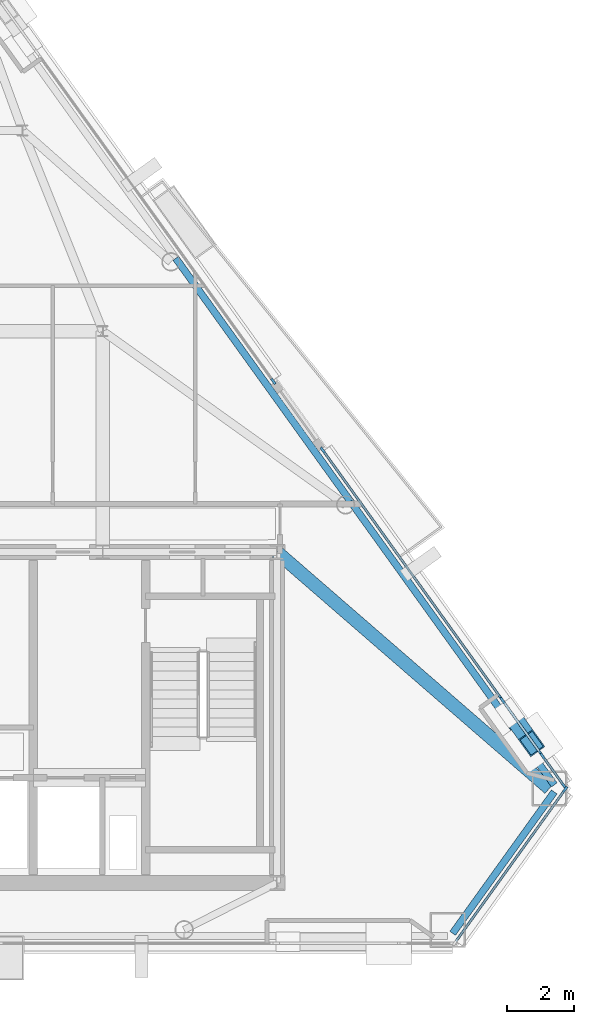
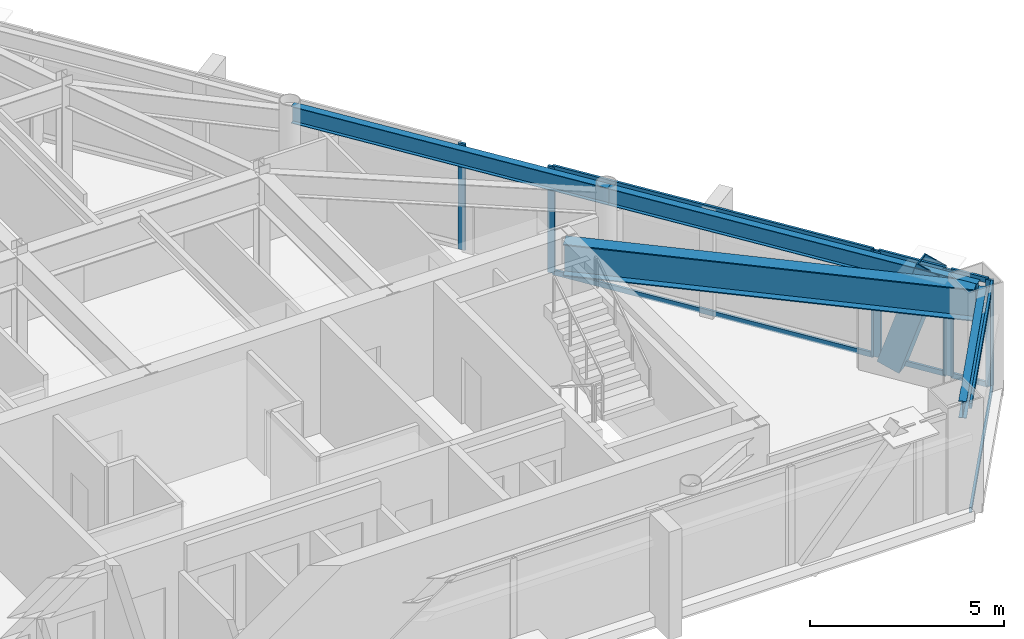
# One storey, part 5 of 11: 17 members, 4 beams, 5 elements without a shape of their own.
"""IFC4 building model written with IfcOpenShell, lengths in metres."""

from ifc_helpers import new_model, si_unit, direction, frame, origin, origin_2d, place, context, subcontext, project, spatial, rectangle, hollow_rectangle, i_section, extrude, material, layer, layer_set, material_profile, profile_set, type_object, element, aggregate, save


model = new_model("IFC4")

# Units and contexts
model_context = context("Model", 3, precision=1e-05, world=origin(), true_north=direction((0.0, 1.0)))
body_context = subcontext(model_context, "Body", "Model", "MODEL_VIEW")
ifc_project = project(units=[si_unit("LENGTHUNIT", "METRE"), si_unit("AREAUNIT", "SQUARE_METRE"), si_unit("VOLUMEUNIT", "CUBIC_METRE"), si_unit("PLANEANGLEUNIT", "RADIAN"), si_unit("MASSUNIT", "GRAM", prefix="KILO")], contexts=[model_context])

# Site, building, storey
site_placement = place(None, origin())
site = spatial("IfcSite", under=ifc_project, at=site_placement, CompositionType="ELEMENT")
building_placement = place(site_placement, origin())
building = spatial("IfcBuilding", under=site, at=building_placement, Name="Talgorran Terracotta Tower", CompositionType="ELEMENT")
storey_placement = place(building_placement, frame((0.0, 0.0, 203.699951171875)))
storey = spatial("IfcBuildingStorey", under=building, at=storey_placement, Name="L53", CompositionType="ELEMENT", Elevation=203.699951171875)

# Beams
ifc_material_1 = material(Name="Steel Grade 350 (350L0)", Category="steel")
ifc_material_profile_1 = material_profile(ifc_material_1, i_section(OverallWidth=0.39990234375, OverallDepth=1.0, WebThickness=0.01611328125, FlangeThickness=0.031005859375, at=origin_2d()), Name="1000WB296")
ifc_profile_set_1 = profile_set([ifc_material_profile_1], Name="Steel Grade 350 (350L0)")
beam_type_1 = type_object("IfcBeamType", Name="BM_1000WB296", PredefinedType="BEAM", material=ifc_profile_set_1)
beam_1_placement = place(storey_placement, frame((12.39990234375, -4.199951171875, 2.844970703125), z_axis=(0.755340259283, -0.655332810644, 0.0), x_axis=(0.655332810644, 0.755340259283, 0.0)))
element("IfcBeam", 1, at=beam_1_placement, inside=storey, type_object=beam_type_1, Name="L53 Floor Girder G18", PredefinedType="BEAM", context=body_context, shape_type="SweptSolid", body=[
    extrude(i_section(OverallWidth=0.39990234375, OverallDepth=1.0, WebThickness=0.01611328125, FlangeThickness=0.031005859375, at=origin_2d()), origin(), (0.0, 0.0, 1.0), 10.787841796875),
])
ifc_material_2 = material(Name="Steel S355 (300PLUS)", Category="steel")
ifc_material_profile_2 = material_profile(ifc_material_2, i_section(OverallWidth=0.209228515625, OverallDepth=0.532958984375, WebThickness=0.01025390625, FlangeThickness=0.015625, at=origin_2d()), Name="530UB92.4")
ifc_profile_set_2 = profile_set([ifc_material_profile_2], Name="Steel S355 (300PLUS)")
beam_type_2 = type_object("IfcBeamType", Name="BM_SP_530UB92", PredefinedType="SPANDREL", material=ifc_profile_set_2)
beam_2_placement = place(storey_placement, frame((17.656982421875, -15.601806640625, 3.07861328125), z_axis=(0.58353843734, 0.812085520217, 0.0), x_axis=(-0.812085520217, 0.58353843734, 0.0)))
element("IfcBeam", 2, at=beam_2_placement, inside=storey, type_object=beam_type_2, Name="L53 Perimeter Spandrel Beam MC3-MC4", PredefinedType="SPANDREL", context=body_context, shape_type="SweptSolid", body=[
    extrude(i_section(OverallWidth=0.209228515625, OverallDepth=0.532958984375, WebThickness=0.01025390625, FlangeThickness=0.015625, at=origin_2d()), origin(), (0.0, 0.0, 1.0), 5.20556640625),
])
beam_3_placement = place(storey_placement, frame((20.694580078125, -11.16455078125, 3.07861328125), z_axis=(-0.58355893517, 0.812070790746, 0.0), x_axis=(-0.812070790746, -0.58355893517, 0.0)))
element("IfcBeam", 3, at=beam_3_placement, inside=storey, type_object=beam_type_2, Name="L53 Perimeter Spandrel Beam MC4-FC3", PredefinedType="SPANDREL", context=body_context, shape_type="SweptSolid", body=[
    extrude(i_section(OverallWidth=0.209228515625, OverallDepth=0.532958984375, WebThickness=0.01025390625, FlangeThickness=0.015625, at=origin_2d()), origin(), (0.0, 0.0, 1.0), 10.438232421875),
])
beam_4_placement = place(storey_placement, frame((14.603271484375, -2.68798828125, 3.07861328125), z_axis=(-0.583551145521, 0.812076388378, 0.0), x_axis=(-0.812076388378, -0.583551145521, 0.0)))
element("IfcBeam", 4, at=beam_4_placement, inside=storey, type_object=beam_type_2, Name="L53 Perimeter Spandrel Beam FC3-FC4", PredefinedType="SPANDREL", context=body_context, shape_type="SweptSolid", body=[
    extrude(i_section(OverallWidth=0.209228515625, OverallDepth=0.532958984375, WebThickness=0.01025390625, FlangeThickness=0.015625, at=origin_2d()), origin(), (0.0, 0.0, 1.0), 8.947265625),
])

# Member
ifc_material_profile_3 = material_profile(ifc_material_1, hollow_rectangle(XDim=0.52001953125, YDim=0.659912109375, WallThickness=0.034912109375, at=origin_2d()), Name="WBOX660X520X35")
ifc_profile_set_3 = profile_set([ifc_material_profile_3], Name="Steel Grade 350 (350L0)")
member_type_1 = type_object("IfcMemberType", Name="MB_MEGA_660", PredefinedType="BRACE", material=ifc_profile_set_3)
member_1_placement = place(storey_placement, frame((19.36669921875, -9.00830078125, -0.02490234375), z_axis=(0.182817156925, -0.254386966584, 0.949665814045), x_axis=(0.812050884366, 0.583586635557, 0.0)))
element("IfcMember", 5, at=member_1_placement, inside=storey, type_object=member_type_1, Name="L53 Exterior Face Mega-Brace MB-3 (NEL)", PredefinedType="BRACE", context=body_context, shape_type="SweptSolid", body=[
    extrude(hollow_rectangle(XDim=0.52001953125, YDim=0.659912109375, WallThickness=0.034912109375, at=origin_2d()), origin(), (0.0, 0.0, 1.0), 3.574951171875),
])

# Curtain wall, member
ifc_material_3 = material(Name="High-Wind Unitised Glazing", Category="glass")
ifc_layer = layer(ifc_material_3, 0.2099609375, Name="CW_SYS3_RES_HIGH")
ifc_layer_set = layer_set([ifc_layer], Name="High-Wind Unitised Glazing")
curtain_wall_type = type_object("IfcCurtainWallType", Name="CW_SYS3_RES_HIGH", PredefinedType="NOTDEFINED", material=ifc_layer_set)
curtain_wall_1_placement = place(storey_placement, origin())
curtain_wall_1 = element("IfcCurtainWall", 6, at=curtain_wall_1_placement, inside=storey, type_object=curtain_wall_type, Name="CW-L53-F2", PredefinedType="NOTDEFINED")
ifc_material_4 = material(Name="Architectural Aluminium 6063-T6", Category="aluminium")
ifc_material_profile_4 = material_profile(ifc_material_4, rectangle(XDim=0.070068359375, YDim=0.199951171875, at=origin_2d()), Name="CWM70X200")
ifc_profile_set_4 = profile_set([ifc_material_profile_4], Name="Architectural Aluminium 6063-T6")
member_type_2 = type_object("IfcMemberType", Name="MUL_70X200", PredefinedType="MULLION", material=ifc_profile_set_4)
member_2_placement = place(storey_placement, frame((21.0205078125, -11.298095703125, 0.0), z_axis=(0.0, 0.0, 1.0), x_axis=(-0.812075928954, 0.58355178486, 0.0)))
member_2 = element("IfcMember", 7, at=member_2_placement, type_object=member_type_2, Name="CW-L53-2 mullion 2", PredefinedType="MULLION", context=body_context, shape_type="SweptSolid", body=[
    extrude(rectangle(XDim=0.070068359375, YDim=0.199951171875, at=origin_2d()), origin(), (0.0, 0.0, 1.0), 3.344970703125),
])

# Curtain wall, members
curtain_wall_2_placement = place(storey_placement, origin())
curtain_wall_2 = element("IfcCurtainWall", 8, at=curtain_wall_2_placement, inside=storey, type_object=curtain_wall_type, Name="CW-L53-F40", PredefinedType="NOTDEFINED")
member_3_placement = place(storey_placement, frame((20.9970703125, -11.208740234375, 0.0), z_axis=(0.0, 0.0, 1.0), x_axis=(-0.81207660741, -0.583550840713, 0.0)))
member_3 = element("IfcMember", 9, at=member_3_placement, type_object=member_type_2, Name="CW-L53-40 mullion 1", PredefinedType="MULLION", context=body_context, shape_type="SweptSolid", body=[
    extrude(rectangle(XDim=0.070068359375, YDim=0.199951171875, at=origin_2d()), origin(), (0.0, 0.0, 1.0), 3.344970703125),
])
member_4_placement = place(storey_placement, frame((20.346435546875, -10.30322265625, 0.0), z_axis=(0.0, 0.0, 1.0), x_axis=(-0.81207660741, -0.583550840713, 0.0)))
member_4 = element("IfcMember", 10, at=member_4_placement, type_object=member_type_2, Name="CW-L53-40 mullion 2", PredefinedType="MULLION", context=body_context, shape_type="SweptSolid", body=[
    extrude(rectangle(XDim=0.070068359375, YDim=0.199951171875, at=origin_2d()), origin(), (0.0, 0.0, 1.0), 3.344970703125),
])

curtain_wall_3_placement = place(storey_placement, origin())
curtain_wall_3 = element("IfcCurtainWall", 11, at=curtain_wall_3_placement, inside=storey, type_object=curtain_wall_type, Name="CW-L53-F40B", PredefinedType="NOTDEFINED")
member_5_placement = place(storey_placement, frame((20.2998046875, -10.23828125, 0.0), z_axis=(0.0, 0.0, 1.0), x_axis=(-0.81207136039, -0.583558142462, 0.0)))
member_5 = element("IfcMember", 12, at=member_5_placement, type_object=member_type_2, Name="CW-L53-40B mullion 1", PredefinedType="MULLION", context=body_context, shape_type="SweptSolid", body=[
    extrude(rectangle(XDim=0.070068359375, YDim=0.199951171875, at=origin_2d()), origin(), (0.0, 0.0, 1.0), 3.344970703125),
])
member_6_placement = place(storey_placement, frame((19.152099609375, -8.64111328125, 0.0), z_axis=(0.0, 0.0, 1.0), x_axis=(-0.81207136039, -0.583558142462, 0.0)))
member_6 = element("IfcMember", 13, at=member_6_placement, type_object=member_type_2, Name="CW-L53-40B mullion 2", PredefinedType="MULLION", context=body_context, shape_type="SweptSolid", body=[
    extrude(rectangle(XDim=0.070068359375, YDim=0.199951171875, at=origin_2d()), origin(), (0.0, 0.0, 1.0), 3.344970703125),
])

curtain_wall_4_placement = place(storey_placement, origin())
curtain_wall_4 = element("IfcCurtainWall", 14, at=curtain_wall_4_placement, inside=storey, type_object=curtain_wall_type, Name="CW-L53-F40C", PredefinedType="NOTDEFINED")
member_7_placement = place(storey_placement, frame((19.10546875, -8.576171875, 0.0), z_axis=(0.0, 0.0, 1.0), x_axis=(-0.812076010484, -0.583551671402, 0.0)))
member_7 = element("IfcMember", 15, at=member_7_placement, type_object=member_type_2, Name="CW-L53-40C mullion 1", PredefinedType="MULLION", context=body_context, shape_type="SweptSolid", body=[
    extrude(rectangle(XDim=0.070068359375, YDim=0.199951171875, at=origin_2d()), origin(), (0.0, 0.0, 1.0), 3.344970703125),
])
member_8_placement = place(storey_placement, frame((13.773681640625, -1.15625, 0.0), z_axis=(0.0, 0.0, 1.0), x_axis=(-0.812076010484, -0.583551671402, 0.0)))
member_8 = element("IfcMember", 16, at=member_8_placement, type_object=member_type_2, Name="CW-L53-40C mullion 2", PredefinedType="MULLION", context=body_context, shape_type="SweptSolid", body=[
    extrude(rectangle(XDim=0.070068359375, YDim=0.199951171875, at=origin_2d()), origin(), (0.0, 0.0, 1.0), 3.344970703125),
])

# Curtain wall, member
curtain_wall_5_placement = place(storey_placement, origin())
curtain_wall_5 = element("IfcCurtainWall", 17, at=curtain_wall_5_placement, inside=storey, type_object=curtain_wall_type, Name="CW-L53-F41", PredefinedType="NOTDEFINED")
member_9_placement = place(storey_placement, frame((12.297119140625, 0.898193359375, 0.0), z_axis=(0.0, 0.0, 1.0), x_axis=(-0.812075370383, -0.583552562172, 0.0)))
member_9 = element("IfcMember", 18, at=member_9_placement, type_object=member_type_2, Name="CW-L53-41 mullion 1", PredefinedType="MULLION", context=body_context, shape_type="SweptSolid", body=[
    extrude(rectangle(XDim=0.070068359375, YDim=0.199951171875, at=origin_2d()), origin(), (0.0, 0.0, 1.0), 3.344970703125),
])
aggregate(curtain_wall_5, [member_9])

# Member
ifc_material_profile_5 = material_profile(ifc_material_4, rectangle(XDim=0.070068359375, YDim=0.159912109375, at=origin_2d()), Name="CWT70X160")
ifc_profile_set_5 = profile_set([ifc_material_profile_5], Name="Architectural Aluminium 6063-T6")
member_type_3 = type_object("IfcMemberType", Name="TRN_70X160", PredefinedType="USERDEFINED", material=ifc_profile_set_5)
member_10_placement = place(storey_placement, frame((17.7568359375, -15.83984375, 0.03515625), z_axis=(0.583533762729, 0.812088879221, 0.0), x_axis=(-0.812088879221, 0.583533762729, 0.0)))
member_10 = element("IfcMember", 19, at=member_10_placement, type_object=member_type_3, Name="CW-L53-2 transom 1.1", ObjectType="TRANSOM", PredefinedType="USERDEFINED", context=body_context, shape_type="SweptSolid", body=[
    extrude(rectangle(XDim=0.070068359375, YDim=0.159912109375, at=origin_2d()), origin(), (0.0, 0.0, 1.0), 5.557861328125),
])

member_11_placement = place(storey_placement, frame((17.7568359375, -15.83984375, 3.31005859375), z_axis=(0.583533762729, 0.812088879221, 0.0), x_axis=(-0.812088879221, 0.583533762729, 0.0)))
member_11 = element("IfcMember", 20, at=member_11_placement, type_object=member_type_3, Name="CW-L53-2 transom 1.2", ObjectType="TRANSOM", PredefinedType="USERDEFINED", context=body_context, shape_type="SweptSolid", body=[
    extrude(rectangle(XDim=0.070068359375, YDim=0.159912109375, at=origin_2d()), origin(), (0.0, 0.0, 1.0), 5.557861328125),
])

aggregate(curtain_wall_1, [member_2, member_10, member_11])

member_12_placement = place(storey_placement, frame((20.976806640625, -11.18017578125, 0.03515625), z_axis=(-0.583578281453, 0.812056888042, 0.0), x_axis=(-0.812056888042, -0.583578281453, 0.0)))
member_12 = element("IfcMember", 21, at=member_12_placement, type_object=member_type_3, Name="CW-L53-40 transom 1.1", ObjectType="TRANSOM", PredefinedType="USERDEFINED", context=body_context, shape_type="SweptSolid", body=[
    extrude(rectangle(XDim=0.070068359375, YDim=0.159912109375, at=origin_2d()), origin(), (0.0, 0.0, 1.0), 1.044921875),
])

member_13_placement = place(storey_placement, frame((20.976806640625, -11.18017578125, 3.31005859375), z_axis=(-0.583578281453, 0.812056888042, 0.0), x_axis=(-0.812056888042, -0.583578281453, 0.0)))
member_13 = element("IfcMember", 22, at=member_13_placement, type_object=member_type_3, Name="CW-L53-40 transom 1.2", ObjectType="TRANSOM", PredefinedType="USERDEFINED", context=body_context, shape_type="SweptSolid", body=[
    extrude(rectangle(XDim=0.070068359375, YDim=0.159912109375, at=origin_2d()), origin(), (0.0, 0.0, 1.0), 1.044921875),
])

aggregate(curtain_wall_2, [member_3, member_4, member_12, member_13])

member_14_placement = place(storey_placement, frame((20.279296875, -10.209716796875, 0.03515625), z_axis=(-0.583500769144, 0.812112586042, 0.0), x_axis=(-0.812112586042, -0.583500769144, 0.0)))
member_14 = element("IfcMember", 23, at=member_14_placement, type_object=member_type_3, Name="CW-L53-40B transom 1.1", ObjectType="TRANSOM", PredefinedType="USERDEFINED", context=body_context, shape_type="SweptSolid", body=[
    extrude(rectangle(XDim=0.070068359375, YDim=0.159912109375, at=origin_2d()), origin(), (0.0, 0.0, 1.0), 1.896728515625),
])

member_15_placement = place(storey_placement, frame((20.279296875, -10.209716796875, 3.31005859375), z_axis=(-0.583500769144, 0.812112586042, 0.0), x_axis=(-0.812112586042, -0.583500769144, 0.0)))
member_15 = element("IfcMember", 24, at=member_15_placement, type_object=member_type_3, Name="CW-L53-40B transom 1.2", ObjectType="TRANSOM", PredefinedType="USERDEFINED", context=body_context, shape_type="SweptSolid", body=[
    extrude(rectangle(XDim=0.070068359375, YDim=0.159912109375, at=origin_2d()), origin(), (0.0, 0.0, 1.0), 1.896728515625),
])

aggregate(curtain_wall_3, [member_5, member_6, member_14, member_15])

member_16_placement = place(storey_placement, frame((19.0849609375, -8.5478515625, 0.03515625), z_axis=(-0.583551156261, 0.81207638066, 0.0), x_axis=(-0.81207638066, -0.583551156261, 0.0)))
member_16 = element("IfcMember", 25, at=member_16_placement, type_object=member_type_3, Name="CW-L53-40C transom 1.1", ObjectType="TRANSOM", PredefinedType="USERDEFINED", context=body_context, shape_type="SweptSolid", body=[
    extrude(rectangle(XDim=0.070068359375, YDim=0.159912109375, at=origin_2d()), origin(), (0.0, 0.0, 1.0), 9.06689453125),
])

member_17_placement = place(storey_placement, frame((19.0849609375, -8.5478515625, 3.31005859375), z_axis=(-0.583551156261, 0.81207638066, 0.0), x_axis=(-0.81207638066, -0.583551156261, 0.0)))
member_17 = element("IfcMember", 26, at=member_17_placement, type_object=member_type_3, Name="CW-L53-40C transom 1.2", ObjectType="TRANSOM", PredefinedType="USERDEFINED", context=body_context, shape_type="SweptSolid", body=[
    extrude(rectangle(XDim=0.070068359375, YDim=0.159912109375, at=origin_2d()), origin(), (0.0, 0.0, 1.0), 9.06689453125),
])

aggregate(curtain_wall_4, [member_7, member_8, member_16, member_17])

save(model, "model.ifc")
